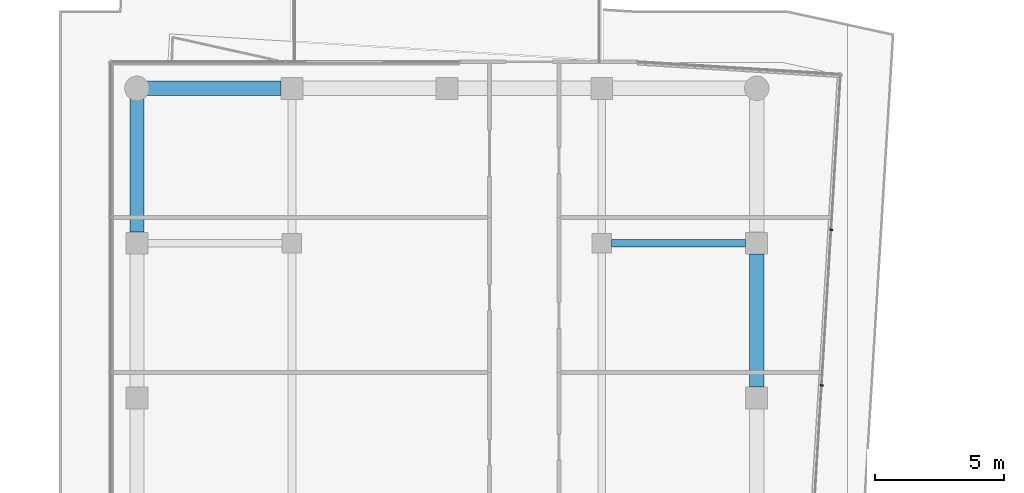
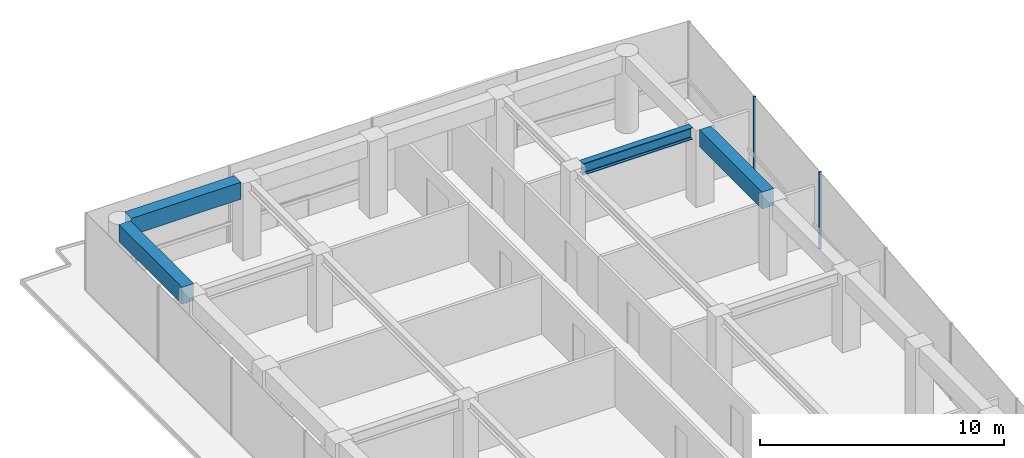
# One storey, part 15 of 22: 4 beams, 2 members, 1 element without a shape of its own.
"""IFC4 building model written with IfcOpenShell, lengths in metres."""

from ifc_helpers import new_model, si_unit, direction, frame, origin, origin_2d, place, context, subcontext, project, spatial, rectangle, i_section, extrude, material, layer, layer_set, material_profile, profile_set, type_object, element, aggregate, save


model = new_model("IFC4")

# Units and contexts
model_context = context("Model", 3, precision=1e-05, world=origin(), true_north=direction((0.0, 1.0)))
body_context = subcontext(model_context, "Body", "Model", "MODEL_VIEW")
ifc_project = project(units=[si_unit("LENGTHUNIT", "METRE"), si_unit("AREAUNIT", "SQUARE_METRE"), si_unit("VOLUMEUNIT", "CUBIC_METRE"), si_unit("PLANEANGLEUNIT", "RADIAN"), si_unit("MASSUNIT", "GRAM", prefix="KILO")], contexts=[model_context])

# Site, building, storey
site_placement = place(None, origin())
site = spatial("IfcSite", under=ifc_project, at=site_placement, CompositionType="ELEMENT")
building_placement = place(site_placement, origin())
building = spatial("IfcBuilding", under=site, at=building_placement, Name="Welwitschia Terrace Campus", CompositionType="ELEMENT")
storey_placement = place(building_placement, frame((0.0, 0.0, 155.0)))
storey = spatial("IfcBuildingStorey", under=building, at=storey_placement, Name="L34", CompositionType="ELEMENT", Elevation=155.0)

# Curtain wall, members
ifc_material_1 = material(Name="Bronze anodised aluminium", Category="aluminium")
ifc_layer = layer(ifc_material_1, 0.1201171875)
ifc_layer_set = layer_set([ifc_layer], Name="Bronze anodised aluminium")
curtain_wall_type = type_object("IfcCurtainWallType", Name="Curtain wall CW2 tower 6000", PredefinedType="NOTDEFINED", material=ifc_layer_set)
curtain_wall_placement = place(storey_placement, origin())
curtain_wall = element("IfcCurtainWall", 1, at=curtain_wall_placement, inside=storey, type_object=curtain_wall_type, Name="CW L34.8.0", PredefinedType="NOTDEFINED")
ifc_material_2 = material(Name="Bronze anodised aluminium", Category="aluminium")
ifc_material_profile_1 = material_profile(ifc_material_2, rectangle(XDim=0.1201171875, YDim=0.06005859375, at=origin_2d()))
ifc_profile_set_1 = profile_set([ifc_material_profile_1], Name="Bronze anodised aluminium")
member_type = type_object("IfcMemberType", Name="Mullion 60x120", PredefinedType="MULLION", material=ifc_profile_set_1)
member_1_placement = place(storey_placement, frame((26.513671875, 50.49951171875, 0.0), z_axis=(0.0, 0.0, 1.0), x_axis=(-0.998134798422, 0.061048539535, 0.0)))
member_1 = element("IfcMember", 2, at=member_1_placement, type_object=member_type, Name="Mullion L34.8.0.4", PredefinedType="MULLION", context=body_context, shape_type="SweptSolid", body=[
    extrude(rectangle(XDim=0.1201171875, YDim=0.06005859375, at=origin_2d()), origin(), (0.0, 0.0, 1.0), 3.85009765625),
])
member_2_placement = place(storey_placement, frame((26.882080078125, 56.5205078125, 0.0), z_axis=(0.0, 0.0, 1.0), x_axis=(-0.998134798422, 0.061048539535, 0.0)))
member_2 = element("IfcMember", 3, at=member_2_placement, type_object=member_type, Name="Mullion L34.8.0.5", PredefinedType="MULLION", context=body_context, shape_type="SweptSolid", body=[
    extrude(rectangle(XDim=0.1201171875, YDim=0.06005859375, at=origin_2d()), origin(), (0.0, 0.0, 1.0), 3.85009765625),
])
aggregate(curtain_wall, [member_1, member_2])

# Beams
ifc_material_3 = material(Name="Steel S355", Category="steel")
ifc_material_profile_2 = material_profile(ifc_material_3, i_section(OverallWidth=0.300048828125, OverallDepth=0.590087890625, WebThickness=0.012939453125, FlangeThickness=0.02490234375, FilletRadius=0.027099609375, at=origin_2d()))
ifc_profile_set_2 = profile_set([ifc_material_profile_2], Name="Steel S355")
beam_type_1 = type_object("IfcBeamType", Name="Primary beam HE 600 A", PredefinedType="BEAM", material=ifc_profile_set_2)
beam_1_placement = place(storey_placement, frame((23.574462890625, 56.0, 3.554931640625), z_axis=(-1.0, 0.0, 0.0), x_axis=(0.0, -1.0, 0.0)))
element("IfcBeam", 4, at=beam_1_placement, inside=storey, type_object=beam_type_1, Name="Primary beam PB4", PredefinedType="BEAM", context=body_context, shape_type="SweptSolid", body=[
    extrude(i_section(OverallWidth=0.300048828125, OverallDepth=0.590087890625, WebThickness=0.012939453125, FlangeThickness=0.02490234375, FilletRadius=0.027099609375, at=origin_2d()), origin(), (0.0, 0.0, 1.0), 5.198974609375),
])
ifc_material_4 = material(Name="Concrete C50/60", Category="concrete")
ifc_material_profile_3 = material_profile(ifc_material_4, rectangle(XDim=0.550048828125, YDim=0.85009765625, at=origin_2d()))
ifc_profile_set_3 = profile_set([ifc_material_profile_3], Name="Concrete C50/60")
beam_type_2 = type_object("IfcBeamType", Name="Ring spandrel 550x850", PredefinedType="SPANDREL", material=ifc_profile_set_3)
beam_2_placement = place(storey_placement, frame((24.0, 50.425537109375, 3.425048828125), z_axis=(0.0, 1.0, 0.0), x_axis=(-1.0, 0.0, 0.0)))
element("IfcBeam", 5, at=beam_2_placement, inside=storey, type_object=beam_type_2, Name="Spandrel SP3", PredefinedType="SPANDREL", context=body_context, shape_type="SweptSolid", body=[
    extrude(rectangle(XDim=0.550048828125, YDim=0.85009765625, at=origin_2d()), origin(), (0.0, 0.0, 1.0), 5.14892578125),
])
for number, where, z_axis, x_axis, name in (
    (6, (5.574462890625, 62.0, 3.425048828125), (-1.0, 0.0, 0.0), (0.0, -1.0, 0.0), "Spandrel SP3"),
    (7, (0.0, 61.612060546875, 3.425048828125), (0.0, -1.0, 0.0), (1.0, 0.0, 0.0), "Spandrel SP3"),
):
    element("IfcBeam", number, at=place(storey_placement, frame(where, z_axis=z_axis, x_axis=x_axis)), inside=storey, type_object=beam_type_2, Name=name, PredefinedType="SPANDREL", context=body_context, shape_type="SweptSolid", body=[
        extrude(rectangle(XDim=0.550048828125, YDim=0.85009765625, at=origin_2d()), origin(), (0.0, 0.0, 1.0), 5.1865234375),
    ])

save(model, "model.ifc")
